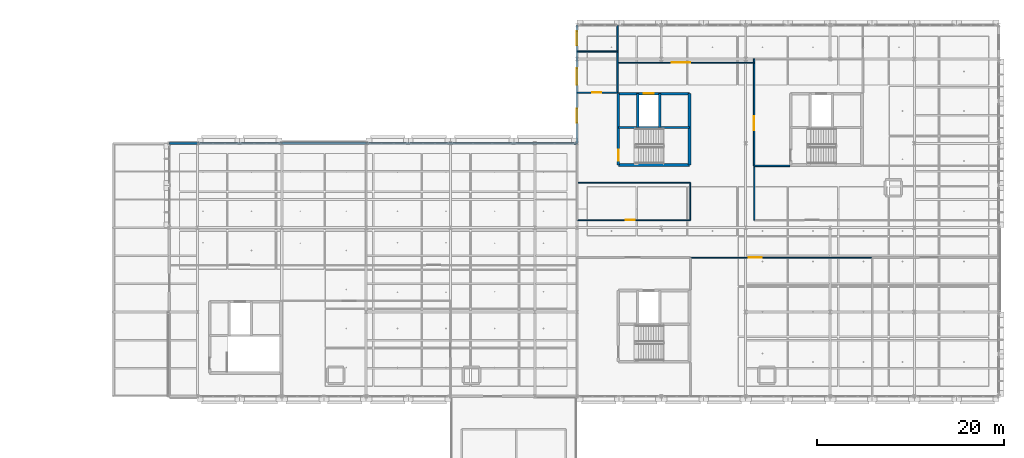
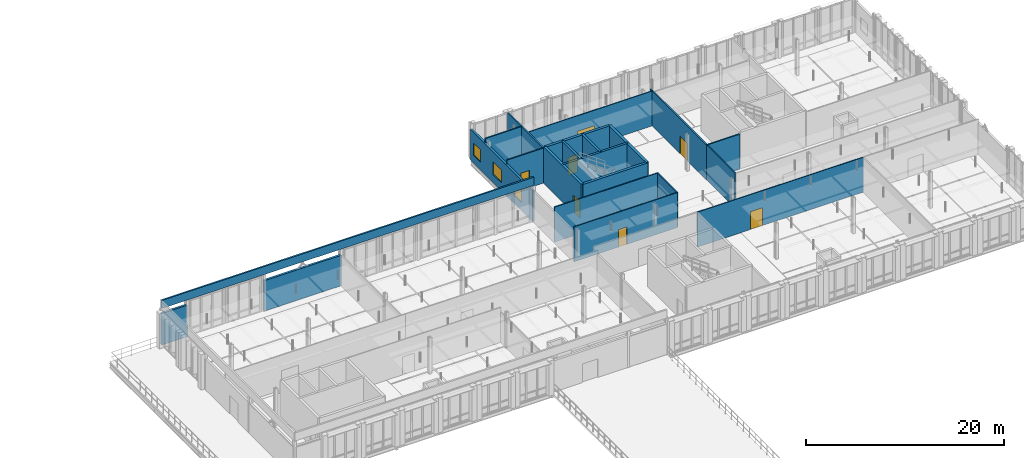
# One storey, part 49 of 89: 22 walls, 7 doors, 3 windows, 10 openings.
"""IFC4 building model written with IfcOpenShell, lengths in metres."""

import ifcopenshell
import ifcopenshell.guid

model = None  # the IFC model being written
_history = None  # IfcOwnerHistory: only IFC2X3 demands one
_inside = {}  # id of a spatial element -> (the spatial element, [elements in it])
_under = {}  # id of a project, library or spatial element -> (it, [spatial elements below it])
_declared = {}  # id of a project -> (the project, [libraries it declares])
_typed = {}  # id of a type object -> (the type object, [elements of that type])
_made_of = {}  # id of a material, layer set ... -> (it, [elements and type objects made of it])


def new_model(schema):
    """Start an empty IFC model of exactly this schema.

    Asked for "IFC4X3", IfcOpenShell would pick the latest addendum, in which some entities
    have other attributes; the version numbers below select the first issue.
    IFC2X3 requires an IfcOwnerHistory on every rooted entity: one is made here for all.
    """
    global model, _history
    if schema == "IFC4X3":
        model = ifcopenshell.file(schema_version=(4, 3, 0, 0))
    else:
        model = ifcopenshell.file(schema=schema)
    _inside.clear()
    _under.clear()
    _declared.clear()
    _typed.clear()
    _made_of.clear()
    _history = None
    if model.schema == "IFC2X3":
        org = make("IfcOrganization", Name="unknown")
        user = make(
            "IfcPersonAndOrganization",
            ThePerson=make("IfcPerson", FamilyName="unknown"),
            TheOrganization=org,
        )
        app = make(
            "IfcApplication",
            ApplicationDeveloper=org,
            Version="unknown",
            ApplicationFullName="unknown",
            ApplicationIdentifier="unknown",
        )
        _history = make(
            "IfcOwnerHistory",
            OwningUser=user,
            OwningApplication=app,
            ChangeAction="ADDED",
            CreationDate=0,
        )
    return model


def make(cls, **values):
    """One entity of the class cls with the attributes given. An attribute that is None is left unset."""
    return model.create_entity(
        cls, **{name: value for name, value in values.items() if value is not None}
    )


def rooted(cls, **values):
    """An entity with a GlobalId (a new one), such as an element, a storey or a relation."""
    return make(cls, GlobalId=ifcopenshell.guid.new(), OwnerHistory=_history, **values)


def si_unit(unit_type, name, prefix=None):
    """IfcSIUnit, for example si_unit("LENGTHUNIT", "METRE", prefix="MILLI")."""
    return make("IfcSIUnit", UnitType=unit_type, Prefix=prefix, Name=name)


def assignment(units):
    """IfcUnitAssignment: the units of a project."""
    return None if units is None else make("IfcUnitAssignment", Units=units)


def point(xyz):
    """IfcCartesianPoint."""
    return None if xyz is None else make("IfcCartesianPoint", Coordinates=xyz)


def direction(xyz):
    """IfcDirection."""
    return None if xyz is None else make("IfcDirection", DirectionRatios=xyz)


def frame(location, z_axis=None, x_axis=None):
    """IfcAxis2Placement3D, a coordinate frame: its origin and axes. An axis left out is left unset."""
    return make(
        "IfcAxis2Placement3D",
        Location=point(location),
        Axis=direction(z_axis),
        RefDirection=direction(x_axis),
    )


def frame_2d(location, x_axis=None):
    """IfcAxis2Placement2D, a coordinate frame in the plane: its origin and x axis."""
    return make(
        "IfcAxis2Placement2D", Location=point(location), RefDirection=direction(x_axis)
    )


def origin():
    """The frame at (0, 0, 0) with its axes left unset."""
    return frame((0.0, 0.0, 0.0))


def place(relative_to, where):
    """IfcLocalPlacement: puts the frame where relative to a parent placement (None: the world)."""
    return make(
        "IfcLocalPlacement", PlacementRelTo=relative_to, RelativePlacement=where
    )


def context(
    kind, dimensions, precision=None, world=None, true_north=None, identifier=None
):
    """IfcGeometricRepresentationContext, for example the 3D "Model" context."""
    return make(
        "IfcGeometricRepresentationContext",
        ContextIdentifier=identifier,
        ContextType=kind,
        CoordinateSpaceDimension=dimensions,
        Precision=precision,
        WorldCoordinateSystem=world,
        TrueNorth=true_north,
    )


def subcontext(parent, identifier, kind, view, scale=None):
    """IfcGeometricRepresentationSubContext, for example "Body" below "Model"."""
    return make(
        "IfcGeometricRepresentationSubContext",
        ContextIdentifier=identifier,
        ContextType=kind,
        ParentContext=parent,
        TargetScale=scale,
        TargetView=view,
    )


def project(units=None, contexts=None):
    """IfcProject with its units and contexts."""
    return rooted(
        "IfcProject",
        Name="project",
        RepresentationContexts=contexts,
        UnitsInContext=assignment(units),
    )


def spatial(cls, under=None, at=None, **own):
    """A site, building, storey or space (cls), placed at a placement, below another one or the project."""
    s = rooted(cls, ObjectPlacement=at, **own)
    if under is not None:
        _under.setdefault(under.id(), (under, []))[1].append(s)
    return s


def profile(cls, at=None, kind="AREA", **sizes):
    """A parametric profile (cls). Its sizes go by their IFC names, for example OverallWidth=200.0."""
    return make(cls, ProfileType=kind, Position=at, **sizes)


def rectangle(**sizes):
    """IfcRectangleProfileDef."""
    return profile("IfcRectangleProfileDef", **sizes)


def extrude(swept, where, along, depth):
    """IfcExtrudedAreaSolid: the profile swept, set in the frame where, extruded along a direction by depth."""
    return make(
        "IfcExtrudedAreaSolid",
        SweptArea=swept,
        Position=where,
        ExtrudedDirection=direction(along),
        Depth=depth,
    )


def shape(context_of_items, identifier, shape_type, items):
    """IfcShapeRepresentation: the items that make up one representation, for example the "Body"."""
    return make(
        "IfcShapeRepresentation",
        ContextOfItems=context_of_items,
        RepresentationIdentifier=identifier,
        RepresentationType=shape_type,
        Items=items,
    )


def material(Name=None, Category=None):
    """IfcMaterial."""
    return make("IfcMaterial", Name=Name, Category=Category)


def layer(
    of_material, thickness, ventilated=None, Name=None, Category=None, Priority=None
):
    """IfcMaterialLayer: one layer of a wall or slab, of a material (None: an air gap)."""
    return make(
        "IfcMaterialLayer",
        Material=of_material,
        LayerThickness=thickness,
        IsVentilated=ventilated,
        Name=Name,
        Category=Category,
        Priority=Priority,
    )


def layer_set(layers, Name=None):
    """IfcMaterialLayerSet."""
    return make("IfcMaterialLayerSet", MaterialLayers=layers, LayerSetName=Name)


def made_of(thing, what):
    """Note that an element or type object is made of a material, layer set ...; save() writes the relation."""
    if what is not None:
        _made_of.setdefault(what.id(), (what, []))[1].append(thing)
    return thing


def type_object(cls, material=None, **own):
    """A type object (cls), such as IfcWallType, which elements share."""
    return made_of(rooted(cls, **own), material)


def element(
    cls,
    number,
    at=None,
    inside=None,
    cuts=None,
    type_object=None,
    material=None,
    context=None,
    identifier="Body",
    shape_type=None,
    held_by="IfcProductDefinitionShape",
    body=None,
    shapes=None,
    **own,
):
    """One element of the class cls, such as IfcWall. Its Tag is "e" and its number.

    at: its placement. inside: the storey or other place that contains it. cuts: it is an
    opening in that element (IfcRelVoidsElement). A single representation is given by context,
    identifier, shape_type and body (its items); several are given by shapes. held_by: the class
    of the entity that holds the representations. save() writes the other relations.
    """
    e = rooted(cls, Tag="e%d" % number, ObjectPlacement=at, **own)
    if body is not None:
        shapes = [shape(context, identifier, shape_type, body)]
    if shapes is not None:
        e.Representation = make(held_by, Representations=shapes)
    if inside is not None:
        _inside.setdefault(inside.id(), (inside, []))[1].append(e)
    if cuts is not None:
        rooted(
            "IfcRelVoidsElement", RelatingBuildingElement=cuts, RelatedOpeningElement=e
        )
    if type_object is not None:
        _typed.setdefault(type_object.id(), (type_object, []))[1].append(e)
    return made_of(e, material)


def fill(opening, filler):
    """IfcRelFillsElement: the door or window that sits in an opening."""
    return rooted(
        "IfcRelFillsElement",
        RelatingOpeningElement=opening,
        RelatedBuildingElement=filler,
    )


def aggregate(whole, parts):
    """IfcRelAggregates: a whole, such as a stair, and the parts it consists of."""
    return rooted("IfcRelAggregates", RelatingObject=whole, RelatedObjects=parts)


def save(model, path):
    """Write the relations noted so far, then the file.

    IfcRelAggregates (storeys below a building ...), IfcRelContainedInSpatialStructure (elements
    in a storey), IfcRelDefinesByType, IfcRelAssociatesMaterial and IfcRelDeclares: one each for
    every whole, place, type object, material and project.
    """
    for whole, parts in _under.values():
        aggregate(whole, parts)
    for where, things in _inside.values():
        rooted(
            "IfcRelContainedInSpatialStructure",
            RelatedElements=things,
            RelatingStructure=where,
        )
    for kind, things in _typed.values():
        rooted("IfcRelDefinesByType", RelatedObjects=things, RelatingType=kind)
    for what, things in _made_of.values():
        rooted("IfcRelAssociatesMaterial", RelatedObjects=things, RelatingMaterial=what)
    for by, libraries in _declared.values():
        rooted("IfcRelDeclares", RelatingContext=by, RelatedDefinitions=libraries)
    model.write(path)


model = new_model("IFC4")

# Units and contexts
model_context = context("Model", 3, precision=1e-05, world=origin(), true_north=direction((0.0, 1.0)))
body_context = subcontext(model_context, "Body", "Model", "MODEL_VIEW")
ifc_project = project(units=[si_unit("LENGTHUNIT", "METRE"), si_unit("AREAUNIT", "SQUARE_METRE"), si_unit("VOLUMEUNIT", "CUBIC_METRE"), si_unit("PLANEANGLEUNIT", "RADIAN"), si_unit("MASSUNIT", "GRAM", prefix="KILO"), si_unit("THERMODYNAMICTEMPERATUREUNIT", "KELVIN"), si_unit("POWERUNIT", "WATT")], contexts=[model_context])

# Site, building, storey
site_placement = place(None, origin())
site = spatial("IfcSite", under=ifc_project, at=site_placement, CompositionType="ELEMENT")
building_placement = place(site_placement, origin())
building = spatial("IfcBuilding", under=site, at=building_placement, Name="Tallowbark Science Centre", CompositionType="ELEMENT")
storey_placement = place(building_placement, frame((0.0, 0.0, 14.39990234375)))
storey = spatial("IfcBuildingStorey", under=building, at=storey_placement, Name="L03", CompositionType="ELEMENT", Elevation=14.39990234375)

# Walls
ifc_material_1 = material(Name="Precast Concrete Parapet Grade N40 (40 MPa)", Category="concrete")
ifc_layer_1 = layer(ifc_material_1, 0.18505859375)
ifc_layer_set_1 = layer_set([ifc_layer_1], Name="Precast Concrete Parapet Grade N40 (40 MPa)")
wall_type_1 = type_object("IfcWallType", Name="EWL-PAR-185", PredefinedType="PARAPET", material=ifc_layer_set_1)
wall_1_placement = place(storey_placement, frame((69.0, 99.0, 4.5), z_axis=(0.0, 0.0, 1.0), x_axis=(1.0, 0.0, 0.0)))
element("IfcWall", 1, at=wall_1_placement, inside=storey, type_object=wall_type_1, Name="Roof Parapet PAR-LAB-N", PredefinedType="PARAPET", context=body_context, shape_type="SweptSolid", body=[
    extrude(rectangle(XDim=43.5, YDim=0.18505859375, at=frame_2d((21.75, 0.0))), origin(), (0.0, 0.0, 1.0), 1.0),
])
ifc_material_2 = material(Name="Insulated Precast Concrete Panel Grade N40 (40 MPa)", Category="concrete")
ifc_layer_2 = layer(ifc_material_2, 0.25)
ifc_layer_set_2 = layer_set([ifc_layer_2], Name="Insulated Precast Concrete Panel Grade N40 (40 MPa)")
wall_type_2 = type_object("IfcWallType", Name="EWL-PRC-250", PredefinedType="STANDARD", material=ifc_layer_set_2)
wall_2_placement = place(storey_placement, frame((72.0, 99.0, 0.0), z_axis=(0.0, 0.0, 1.0), x_axis=(-1.0, 0.0, 0.0)))
element("IfcWall", 2, at=wall_2_placement, inside=storey, type_object=wall_type_2, Name="Exterior Wall LAB-N-L03-69", PredefinedType="STANDARD", context=body_context, shape_type="SweptSolid", body=[
    extrude(rectangle(XDim=3.0, YDim=0.25, at=frame_2d((1.5, 0.0))), origin(), (0.0, 0.0, 1.0), 3.893798828125),
])
wall_3_placement = place(storey_placement, frame((90.0, 99.0, 0.0), z_axis=(0.0, 0.0, 1.0), x_axis=(-1.0, 0.0, 0.0)))
element("IfcWall", 3, at=wall_3_placement, inside=storey, type_object=wall_type_2, Name="Exterior Wall LAB-N-L03-81", PredefinedType="STANDARD", context=body_context, shape_type="SweptSolid", body=[
    extrude(rectangle(XDim=9.0, YDim=0.25, at=frame_2d((4.5, 0.0))), origin(), (0.0, 0.0, 1.0), 3.76708984375),
])

# Wall, openings, windows
wall_4_placement = place(storey_placement, frame((112.5, 111.60009765625, 0.0), z_axis=(0.0, 0.0, 1.0), x_axis=(0.0, -1.0, 0.0)))
wall_4 = element("IfcWall", 4, at=wall_4_placement, inside=storey, type_object=wall_type_2, Name="Exterior Wall OBS-WN-L03", PredefinedType="STANDARD", context=body_context, shape_type="SweptSolid", body=[
    extrude(rectangle(XDim=12.60009765625, YDim=0.25, at=frame_2d((6.300048828125, 0.0))), origin(), (0.0, 0.0, 1.0), 3.81640625),
])
opening_1_placement = place(wall_4_placement, frame((0.64990234375, 0.0, 1.0)))
opening_1 = element("IfcOpeningElement", 5, at=opening_1_placement, cuts=wall_4, Name="Opening W-08", PredefinedType="OPENING", context=body_context, shape_type="SweptSolid", body=[
    extrude(rectangle(XDim=1.5, YDim=1.5, at=frame_2d((0.75, 0.75))), frame((0.0, 0.135009765625, 0.0), z_axis=(0.0, -1.0, 0.0), x_axis=(1.0, 0.0, 0.0)), (0.0, 0.0, 1.0), 0.27001953125),
])
opening_2_placement = place(wall_4_placement, frame((8.89990234375, 0.0, 1.0)))
opening_2 = element("IfcOpeningElement", 6, at=opening_2_placement, cuts=wall_4, Name="Opening W-08", PredefinedType="OPENING", context=body_context, shape_type="SweptSolid", body=[
    extrude(rectangle(XDim=1.5, YDim=1.5, at=frame_2d((0.75, 0.75))), frame((0.0, 0.135009765625, 0.0), z_axis=(0.0, -1.0, 0.0), x_axis=(1.0, 0.0, 0.0)), (0.0, 0.0, 1.0), 0.27001953125),
])
opening_3_placement = place(wall_4_placement, frame((4.60009765625, 0.0, 1.0)))
opening_3 = element("IfcOpeningElement", 7, at=opening_3_placement, cuts=wall_4, Name="Opening WS-09", PredefinedType="OPENING", context=body_context, shape_type="SweptSolid", body=[
    extrude(rectangle(XDim=1.75, YDim=1.550048828125, at=frame_2d((0.875, 0.77490234375))), frame((0.0, 0.135009765625, 0.0), z_axis=(0.0, -1.0, 0.0), x_axis=(1.0, 0.0, 0.0)), (0.0, 0.0, 1.0), 0.27001953125),
])
ifc_material_3 = material(Name="Thermally Broken Aluminium and Low-E Double Glazing", Category="aluminium")
window_type_1 = type_object("IfcWindowType", Name="WIN-F150x150", PartitioningType="SINGLE_PANEL", PredefinedType="WINDOW", material=ifc_material_3)
window_1_placement = place(opening_1_placement, origin())
window_1 = element("IfcWindow", 8, at=window_1_placement, inside=storey, type_object=window_type_1, Name="Window WIN-L03-0048", OverallHeight=1.5, OverallWidth=1.5, PartitioningType="SINGLE_PANEL", PredefinedType="WINDOW", context=body_context, shape_type="SweptSolid", body=[
    extrude(rectangle(XDim=1.5, YDim=1.5, at=frame_2d((0.75, 0.75))), frame((0.0, 0.030029296875, 0.0), z_axis=(0.0, -1.0, 0.0), x_axis=(1.0, 0.0, 0.0)), (0.0, 0.0, 1.0), 0.06005859375),
])
fill(opening_1, window_1)
window_2_placement = place(opening_2_placement, origin())
window_2 = element("IfcWindow", 9, at=window_2_placement, inside=storey, type_object=window_type_1, Name="Window WIN-L03-0049", OverallHeight=1.5, OverallWidth=1.5, PartitioningType="SINGLE_PANEL", PredefinedType="WINDOW", context=body_context, shape_type="SweptSolid", body=[
    extrude(rectangle(XDim=1.5, YDim=1.5, at=frame_2d((0.75, 0.75))), frame((0.0, 0.030029296875, 0.0), z_axis=(0.0, -1.0, 0.0), x_axis=(1.0, 0.0, 0.0)), (0.0, 0.0, 1.0), 0.06005859375),
])
fill(opening_2, window_2)
window_type_2 = type_object("IfcWindowType", Name="WIN-SP-175x155", PartitioningType="SINGLE_PANEL", PredefinedType="WINDOW", material=ifc_material_3)
window_3_placement = place(opening_3_placement, origin())
window_3 = element("IfcWindow", 10, at=window_3_placement, inside=storey, type_object=window_type_2, Name="Acoustic Window WSP-09", OverallHeight=1.550048828125, OverallWidth=1.75, PartitioningType="SINGLE_PANEL", PredefinedType="WINDOW", context=body_context, shape_type="SweptSolid", body=[
    extrude(rectangle(XDim=1.75, YDim=1.550048828125, at=frame_2d((0.875, 0.77490234375))), frame((0.0, 0.030029296875, 0.0), z_axis=(0.0, -1.0, 0.0), x_axis=(1.0, 0.0, 0.0)), (0.0, 0.0, 1.0), 0.06005859375),
])
fill(opening_3, window_3)

# Wall, opening, door
ifc_material_4 = material(Name="116 mm Acoustic Steel Stud and 16 mm Fire-Rated Plasterboard", Category="steel")
ifc_layer_3 = layer(ifc_material_4, 0.115966796875)
ifc_layer_set_3 = layer_set([ifc_layer_3], Name="116 mm Acoustic Steel Stud and 16 mm Fire-Rated Plasterboard")
wall_type_3 = type_object("IfcWallType", Name="PTW-116", PredefinedType="PARTITIONING", material=ifc_layer_set_3)
wall_5_placement = place(storey_placement, frame((112.5, 90.800048828125, 0.0), z_axis=(0.0, 0.0, 1.0), x_axis=(1.0, 0.0, 0.0)))
wall_5 = element("IfcWall", 11, at=wall_5_placement, inside=storey, type_object=wall_type_3, Name="Interior Partition PTW-L03-0271", PredefinedType="PARTITIONING", context=body_context, shape_type="SweptSolid", body=[
    extrude(rectangle(XDim=12.10009765625, YDim=0.115966796875, at=frame_2d((6.050048828125, 0.0))), origin(), (0.0, 0.0, 1.0), 4.320068359375),
])
opening_4_placement = place(wall_5_placement, frame((5.199951171875, 0.0, 0.0)))
opening_4 = element("IfcOpeningElement", 12, at=opening_4_placement, cuts=wall_5, Name="Opening ID-04", PredefinedType="OPENING", context=body_context, shape_type="SweptSolid", body=[
    extrude(rectangle(XDim=0.949951171875, YDim=2.14990234375, at=frame_2d((0.47509765625, 1.074951171875))), frame((0.0, 0.06787109375, 0.0), z_axis=(0.0, -1.0, 0.0), x_axis=(1.0, 0.0, 0.0)), (0.0, 0.0, 1.0), 0.135986328125),
])
ifc_material_5 = material(Name="Solid-Core Timber Veneer Leaf", Category="wood")
door_type_1 = type_object("IfcDoorType", Name="IDR-OFF-095", OperationType="NOTDEFINED", PredefinedType="DOOR", material=ifc_material_5)
door_1_placement = place(opening_4_placement, origin())
door_1 = element("IfcDoor", 13, at=door_1_placement, inside=storey, type_object=door_type_1, Name="Interior Door IDR-L03-0121", OperationType="SINGLE_SWING_LEFT", OverallHeight=2.14990234375, OverallWidth=0.949951171875, PredefinedType="DOOR", context=body_context, shape_type="SweptSolid", body=[
    extrude(rectangle(XDim=0.949951171875, YDim=2.14990234375, at=frame_2d((0.47509765625, 1.074951171875))), frame((0.0, 0.02490234375, 0.0), z_axis=(0.0, -1.0, 0.0), x_axis=(1.0, 0.0, 0.0)), (0.0, 0.0, 1.0), 0.050048828125),
])
fill(opening_4, door_1)

# Walls
wall_6_placement = place(storey_placement, frame((112.5, 94.800048828125, 0.0), z_axis=(0.0, 0.0, 1.0), x_axis=(1.0, 0.0, 0.0)))
element("IfcWall", 14, at=wall_6_placement, inside=storey, type_object=wall_type_3, Name="Interior Partition PTW-L03-0272", PredefinedType="PARTITIONING", context=body_context, shape_type="SweptSolid", body=[
    extrude(rectangle(XDim=12.10009765625, YDim=0.115966796875, at=frame_2d((6.050048828125, 0.0))), origin(), (0.0, 0.0, 1.0), 4.320068359375),
])
wall_7_placement = place(storey_placement, frame((124.60009765625, 90.800048828125, 0.0), z_axis=(0.0, 0.0, 1.0), x_axis=(0.0, 1.0, 0.0)))
element("IfcWall", 15, at=wall_7_placement, inside=storey, type_object=wall_type_3, Name="Interior Partition PTW-L03-0273", PredefinedType="PARTITIONING", context=body_context, shape_type="SweptSolid", body=[
    extrude(rectangle(XDim=4.0, YDim=0.115966796875, at=frame_2d((2.0, 0.0))), origin(), (0.0, 0.0, 1.0), 4.320068359375),
])
ifc_material_6 = material(Name="132 mm Acoustic Laboratory Steel Stud Partition", Category="steel")
ifc_layer_4 = layer(ifc_material_6, 0.132080078125)
ifc_layer_set_4 = layer_set([ifc_layer_4], Name="132 mm Acoustic Laboratory Steel Stud Partition")
wall_type_4 = type_object("IfcWallType", Name="PTW-132", PredefinedType="PARTITIONING", material=ifc_layer_set_4)
wall_8_placement = place(storey_placement, frame((131.39990234375, 90.800048828125, 0.0), z_axis=(0.0, 0.0, 1.0), x_axis=(0.0, 1.0, 0.0)))
element("IfcWall", 16, at=wall_8_placement, inside=storey, type_object=wall_type_4, Name="Interior Partition PTW-L03-0279", PredefinedType="PARTITIONING", context=body_context, shape_type="SweptSolid", body=[
    extrude(rectangle(XDim=5.800048828125, YDim=0.132080078125, at=frame_2d((2.89990234375, 0.0))), origin(), (0.0, 0.0, 1.0), 4.320068359375),
])

# Wall, opening, door
ifc_material_7 = material(Name="150 mm Wet-Area Moisture-Resistant Partition")
ifc_layer_5 = layer(ifc_material_7, 0.14990234375)
ifc_layer_set_5 = layer_set([ifc_layer_5], Name="150 mm Wet-Area Moisture-Resistant Partition")
wall_type_5 = type_object("IfcWallType", Name="PTW-150", PredefinedType="PARTITIONING", material=ifc_layer_set_5)
wall_9_placement = place(storey_placement, frame((112.5, 104.39990234375, 0.0), z_axis=(0.0, 0.0, 1.0), x_axis=(1.0, 0.0, 0.0)))
wall_9 = element("IfcWall", 17, at=wall_9_placement, inside=storey, type_object=wall_type_5, Name="Interior Partition PTW-L03-0274", PredefinedType="PARTITIONING", context=body_context, shape_type="SweptSolid", body=[
    extrude(rectangle(XDim=4.300048828125, YDim=0.14990234375, at=frame_2d((2.14990234375, 0.0))), origin(), (0.0, 0.0, 1.0), 4.320068359375),
])
opening_5_placement = place(wall_9_placement, frame((1.60009765625, 0.0, 0.0)))
opening_5 = element("IfcOpeningElement", 18, at=opening_5_placement, cuts=wall_9, Name="Opening ID-06", PredefinedType="OPENING", context=body_context, shape_type="SweptSolid", body=[
    extrude(rectangle(XDim=1.0, YDim=2.14990234375, at=frame_2d((0.5, 1.074951171875))), frame((0.0, 0.0849609375, 0.0), z_axis=(0.0, -1.0, 0.0), x_axis=(1.0, 0.0, 0.0)), (0.0, 0.0, 1.0), 0.169921875),
])
ifc_material_8 = material(Name="Accessible Cavity Sliding Leaf")
door_type_2 = type_object("IfcDoorType", Name="IDR-AWC-100", OperationType="SLIDING_TO_LEFT", PredefinedType="DOOR", material=ifc_material_8)
door_2_placement = place(opening_5_placement, origin())
door_2 = element("IfcDoor", 19, at=door_2_placement, inside=storey, type_object=door_type_2, Name="Interior Door IDR-L03-0122", OperationType="SLIDING_TO_LEFT", OverallHeight=2.14990234375, OverallWidth=1.0, PredefinedType="DOOR", context=body_context, shape_type="SweptSolid", body=[
    extrude(rectangle(XDim=1.0, YDim=2.14990234375, at=frame_2d((0.5, 1.074951171875))), frame((0.0, 0.02490234375, 0.0), z_axis=(0.0, -1.0, 0.0), x_axis=(1.0, 0.0, 0.0)), (0.0, 0.0, 1.0), 0.050048828125),
])
fill(opening_5, door_2)

# Walls
wall_10_placement = place(storey_placement, frame((112.5, 108.800048828125, 0.0), z_axis=(0.0, 0.0, 1.0), x_axis=(1.0, 0.0, 0.0)))
element("IfcWall", 20, at=wall_10_placement, inside=storey, type_object=wall_type_5, Name="Interior Partition PTW-L03-0275", PredefinedType="PARTITIONING", context=body_context, shape_type="SweptSolid", body=[
    extrude(rectangle(XDim=4.300048828125, YDim=0.14990234375, at=frame_2d((2.14990234375, 0.0))), origin(), (0.0, 0.0, 1.0), 4.320068359375),
])
wall_11_placement = place(storey_placement, frame((116.800048828125, 104.39990234375, 0.0), z_axis=(0.0, 0.0, 1.0), x_axis=(0.0, 1.0, 0.0)))
element("IfcWall", 21, at=wall_11_placement, inside=storey, type_object=wall_type_5, Name="Interior Partition PTW-L03-0276", PredefinedType="PARTITIONING", context=body_context, shape_type="SweptSolid", body=[
    extrude(rectangle(XDim=7.2001953125, YDim=0.14990234375, at=frame_2d((3.60009765625, 0.0))), origin(), (0.0, 0.0, 1.0), 4.320068359375),
])

# Wall, opening, door
ifc_material_9 = material(Name="162 mm Double-Stud Fire-Rated Corridor Partition")
ifc_layer_6 = layer(ifc_material_9, 0.162109375)
ifc_layer_set_6 = layer_set([ifc_layer_6], Name="162 mm Double-Stud Fire-Rated Corridor Partition")
wall_type_6 = type_object("IfcWallType", Name="PTW-162", PredefinedType="PARTITIONING", material=ifc_layer_set_6)
wall_12_placement = place(storey_placement, frame((131.39990234375, 96.60009765625, 0.0), z_axis=(0.0, 0.0, 1.0), x_axis=(0.0, 1.0, 0.0)))
wall_12 = element("IfcWall", 22, at=wall_12_placement, inside=storey, type_object=wall_type_6, Name="Interior Partition PTW-L03-0040", PredefinedType="PARTITIONING", context=body_context, shape_type="SweptSolid", body=[
    extrude(rectangle(XDim=11.39990234375, YDim=0.162109375, at=frame_2d((5.699951171875, 0.0))), origin(), (0.0, 0.0, 1.0), 4.320068359375),
])
opening_6_placement = place(wall_12_placement, frame((3.800048828125, 0.0, 0.0)))
opening_6 = element("IfcOpeningElement", 23, at=opening_6_placement, cuts=wall_12, Name="Opening DS-10", PredefinedType="OPENING", context=body_context, shape_type="SweptSolid", body=[
    extrude(rectangle(XDim=1.510009765625, YDim=2.175048828125, at=frame_2d((0.7548828125, 1.08740234375))), frame((0.0, 0.091064453125, 0.0), z_axis=(0.0, -1.0, 0.0), x_axis=(1.0, 0.0, 0.0)), (0.0, 0.0, 1.0), 0.18212890625),
])
ifc_material_10 = material(Name="Fire-Rated Glazed Steel Pair", Category="steel")
door_type_3 = type_object("IfcDoorType", Name="FDR-LOB-145-S10", OperationType="DOUBLE_DOOR_SINGLE_SWING", PredefinedType="DOOR", material=ifc_material_10)
door_3_placement = place(opening_6_placement, origin())
door_3 = element("IfcDoor", 24, at=door_3_placement, inside=storey, type_object=door_type_3, Name="Interior Door IDR-L03-0010", OperationType="DOUBLE_DOOR_SINGLE_SWING", OverallHeight=2.175048828125, OverallWidth=1.510009765625, PredefinedType="DOOR", context=body_context, shape_type="SweptSolid", body=[
    extrude(rectangle(XDim=1.510009765625, YDim=2.175048828125, at=frame_2d((0.7548828125, 1.08740234375))), frame((0.0, 0.02490234375, 0.0), z_axis=(0.0, -1.0, 0.0), x_axis=(1.0, 0.0, 0.0)), (0.0, 0.0, 1.0), 0.050048828125),
])
fill(opening_6, door_3)

# Wall
wall_13_placement = place(storey_placement, frame((131.39990234375, 96.60009765625, 0.0), z_axis=(0.0, 0.0, 1.0), x_axis=(1.0, 0.0, 0.0)))
element("IfcWall", 25, at=wall_13_placement, inside=storey, type_object=wall_type_6, Name="Interior Partition PTW-L03-0041", PredefinedType="PARTITIONING", context=body_context, shape_type="SweptSolid", body=[
    extrude(rectangle(XDim=3.800048828125, YDim=0.162109375, at=frame_2d((1.89990234375, 0.0))), origin(), (0.0, 0.0, 1.0), 4.320068359375),
])

# Wall, opening, door
ifc_material_11 = material(Name="108 mm Acoustic Double-Glazed Laboratory Partition")
ifc_layer_7 = layer(ifc_material_11, 0.10791015625)
ifc_layer_set_7 = layer_set([ifc_layer_7], Name="108 mm Acoustic Double-Glazed Laboratory Partition")
wall_type_7 = type_object("IfcWallType", Name="PTW-GLZ-108", PredefinedType="PARTITIONING", material=ifc_layer_set_7)
wall_14_placement = place(storey_placement, frame((124.60009765625, 86.800048828125, 0.0), z_axis=(0.0, 0.0, 1.0), x_axis=(1.0, 0.0, 0.0)))
wall_14 = element("IfcWall", 26, at=wall_14_placement, inside=storey, type_object=wall_type_7, Name="Interior Partition PTW-L03-0268", PredefinedType="PARTITIONING", context=body_context, shape_type="SweptSolid", body=[
    extrude(rectangle(XDim=19.39990234375, YDim=0.10791015625, at=frame_2d((9.699951171875, 0.0))), origin(), (0.0, 0.0, 1.0), 4.320068359375),
])
opening_7_placement = place(wall_14_placement, frame((6.199951171875, 0.0, 0.0)))
opening_7 = element("IfcOpeningElement", 27, at=opening_7_placement, cuts=wall_14, Name="Opening ID-01", PredefinedType="OPENING", context=body_context, shape_type="SweptSolid", body=[
    extrude(rectangle(XDim=1.39990234375, YDim=2.199951171875, at=frame_2d((0.699951171875, 1.10009765625))), frame((0.0, 0.06396484375, 0.0), z_axis=(0.0, -1.0, 0.0), x_axis=(1.0, 0.0, 0.0)), (0.0, 0.0, 1.0), 0.1279296875),
])
ifc_material_12 = material(Name="Vision-Panel Leaf and Unequal Side Leaf")
door_type_4 = type_object("IfcDoorType", Name="IDR-LAB-140", OperationType="DOUBLE_DOOR_SINGLE_SWING", PredefinedType="DOOR", material=ifc_material_12)
door_4_placement = place(opening_7_placement, origin())
door_4 = element("IfcDoor", 28, at=door_4_placement, inside=storey, type_object=door_type_4, Name="Interior Door IDR-L03-0119", OperationType="DOUBLE_DOOR_SINGLE_SWING", OverallHeight=2.199951171875, OverallWidth=1.39990234375, PredefinedType="DOOR", context=body_context, shape_type="SweptSolid", body=[
    extrude(rectangle(XDim=1.39990234375, YDim=2.199951171875, at=frame_2d((0.699951171875, 1.10009765625))), frame((0.0, 0.02490234375, 0.0), z_axis=(0.0, -1.0, 0.0), x_axis=(1.0, 0.0, 0.0)), (0.0, 0.0, 1.0), 0.050048828125),
])
fill(opening_7, door_4)

wall_15_placement = place(storey_placement, frame((116.800048828125, 107.60009765625, 0.0), z_axis=(0.0, 0.0, 1.0), x_axis=(1.0, 0.0, 0.0)))
wall_15 = element("IfcWall", 29, at=wall_15_placement, inside=storey, type_object=wall_type_7, Name="Interior Partition PTW-L03-0277", PredefinedType="PARTITIONING", context=body_context, shape_type="SweptSolid", body=[
    extrude(rectangle(XDim=14.599853515625, YDim=0.10791015625, at=frame_2d((7.2998046875, 0.0))), origin(), (0.0, 0.0, 1.0), 4.320068359375),
])
opening_8_placement = place(wall_15_placement, frame((5.800048828125, 0.0, 0.0)))
opening_8 = element("IfcOpeningElement", 30, at=opening_8_placement, cuts=wall_15, Name="Opening ID-02", PredefinedType="OPENING", context=body_context, shape_type="SweptSolid", body=[
    extrude(rectangle(XDim=2.0, YDim=2.39990234375, at=frame_2d((1.0, 1.199951171875))), frame((0.0, 0.06396484375, 0.0), z_axis=(0.0, -1.0, 0.0), x_axis=(1.0, 0.0, 0.0)), (0.0, 0.0, 1.0), 0.1279296875),
])
ifc_material_13 = material(Name="Spotted Gum Acoustic Gallery Pair", Category="wood")
door_type_5 = type_object("IfcDoorType", Name="IDR-GAL-200", OperationType="DOUBLE_DOOR_DOUBLE_SWING", PredefinedType="DOOR", material=ifc_material_13)
door_5_placement = place(opening_8_placement, origin())
door_5 = element("IfcDoor", 31, at=door_5_placement, inside=storey, type_object=door_type_5, Name="Interior Door IDR-L03-0123", OperationType="DOUBLE_DOOR_DOUBLE_SWING", OverallHeight=2.39990234375, OverallWidth=2.0, PredefinedType="DOOR", context=body_context, shape_type="SweptSolid", body=[
    extrude(rectangle(XDim=2.0, YDim=2.39990234375, at=frame_2d((1.0, 1.199951171875))), frame((0.0, 0.02490234375, 0.0), z_axis=(0.0, -1.0, 0.0), x_axis=(1.0, 0.0, 0.0)), (0.0, 0.0, 1.0), 0.050048828125),
])
fill(opening_8, door_5)

ifc_material_14 = material(Name="Concrete Grade N40 (40 MPa)", Category="concrete")
ifc_layer_8 = layer(ifc_material_14, 0.300048828125)
ifc_layer_set_8 = layer_set([ifc_layer_8], Name="Concrete Grade N40 (40 MPa)")
wall_type_8 = type_object("IfcWallType", Name="WL-CORE-300", PredefinedType="SHEAR", material=ifc_layer_set_8)
wall_16_placement = place(storey_placement, frame((116.89990234375, 96.699951171875, 0.0), z_axis=(0.0, 0.0, 1.0), x_axis=(0.0, 1.0, 0.0)))
wall_16 = element("IfcWall", 32, at=wall_16_placement, inside=storey, type_object=wall_type_8, Name="Core C5 Shear Wall L03 W", PredefinedType="SHEAR", context=body_context, shape_type="SweptSolid", body=[
    extrude(rectangle(XDim=7.60009765625, YDim=0.300048828125, at=frame_2d((3.800048828125, 0.0))), origin(), (0.0, 0.0, 1.0), 4.5),
])
opening_9_placement = place(wall_16_placement, frame((0.449951171875, 0.0, 0.0)))
opening_9 = element("IfcOpeningElement", 33, at=opening_9_placement, cuts=wall_16, Name="Opening FD-01", PredefinedType="OPENING", context=body_context, shape_type="SweptSolid", body=[
    extrude(rectangle(XDim=1.14990234375, YDim=2.14990234375, at=frame_2d((0.574951171875, 1.074951171875))), frame((0.0, 0.16015625, 0.0), z_axis=(0.0, -1.0, 0.0), x_axis=(1.0, 0.0, 0.0)), (0.0, 0.0, 1.0), 0.320068359375),
])
ifc_material_15 = material(Name="Fire-Rated Pressed Steel Frame and Solid Core Leaf", Category="steel")
door_type_6 = type_object("IfcDoorType", Name="FDR-STR-115", OperationType="NOTDEFINED", PredefinedType="DOOR", material=ifc_material_15)
door_6_placement = place(opening_9_placement, origin())
door_6 = element("IfcDoor", 34, at=door_6_placement, inside=storey, type_object=door_type_6, Name="Stair ST-05 Fire Door L03", OperationType="SINGLE_SWING_RIGHT", OverallHeight=2.14990234375, OverallWidth=1.14990234375, PredefinedType="DOOR", context=body_context, shape_type="SweptSolid", body=[
    extrude(rectangle(XDim=1.14990234375, YDim=2.14990234375, at=frame_2d((0.574951171875, 1.074951171875))), frame((0.0, 0.02490234375, 0.0), z_axis=(0.0, -1.0, 0.0), x_axis=(1.0, 0.0, 0.0)), (0.0, 0.0, 1.0), 0.050048828125),
])
fill(opening_9, door_6)

# Walls
for number, where, z_axis, x_axis, name in (
    (35, (124.5, 96.699951171875, 0.0), (0.0, 0.0, 1.0), (0.0, 1.0, 0.0), "Core C5 Shear Wall L03 E"),
    (36, (116.89990234375, 96.699951171875, 0.0), (0.0, 0.0, 1.0), (1.0, 0.0, 0.0), "Core C5 Shear Wall L03 S"),
):
    element("IfcWall", number, at=place(storey_placement, frame(where, z_axis=z_axis, x_axis=x_axis)), inside=storey, type_object=wall_type_8, Name=name, PredefinedType="SHEAR", context=body_context, shape_type="SweptSolid", body=[
        extrude(rectangle(XDim=7.60009765625, YDim=0.300048828125, at=frame_2d((3.800048828125, 0.0))), origin(), (0.0, 0.0, 1.0), 4.5),
    ])

# Wall, opening, door
wall_17_placement = place(storey_placement, frame((116.89990234375, 104.300048828125, 0.0), z_axis=(0.0, 0.0, 1.0), x_axis=(1.0, 0.0, 0.0)))
wall_17 = element("IfcWall", 37, at=wall_17_placement, inside=storey, type_object=wall_type_8, Name="Core C5 Shear Wall L03 N", PredefinedType="SHEAR", context=body_context, shape_type="SweptSolid", body=[
    extrude(rectangle(XDim=7.60009765625, YDim=0.300048828125, at=frame_2d((3.800048828125, 0.0))), origin(), (0.0, 0.0, 1.0), 4.5),
])
opening_10_placement = place(wall_17_placement, frame((2.699951171875, 0.0, 0.0)))
opening_10 = element("IfcOpeningElement", 38, at=opening_10_placement, cuts=wall_17, Name="Opening LD-01", PredefinedType="OPENING", context=body_context, shape_type="SweptSolid", body=[
    extrude(rectangle(XDim=1.10009765625, YDim=2.199951171875, at=frame_2d((0.550048828125, 1.10009765625))), frame((0.0, 0.16015625, 0.0), z_axis=(0.0, -1.0, 0.0), x_axis=(1.0, 0.0, 0.0)), (0.0, 0.0, 1.0), 0.320068359375),
])
ifc_material_16 = material(Name="Brushed Stainless Steel Centre-Parting Lift Landing Door", Category="steel")
door_type_7 = type_object("IfcDoorType", Name="LDR-LFT-110", OperationType="DOUBLE_DOOR_SLIDING", PredefinedType="DOOR", material=ifc_material_16)
door_7_placement = place(opening_10_placement, origin())
door_7 = element("IfcDoor", 39, at=door_7_placement, inside=storey, type_object=door_type_7, Name="Lift LF-04 Landing Door L03", OperationType="DOUBLE_DOOR_SLIDING", OverallHeight=2.199951171875, OverallWidth=1.10009765625, PredefinedType="DOOR", context=body_context, shape_type="SweptSolid", body=[
    extrude(rectangle(XDim=1.10009765625, YDim=2.199951171875, at=frame_2d((0.550048828125, 1.10009765625))), frame((0.0, 0.02490234375, 0.0), z_axis=(0.0, -1.0, 0.0), x_axis=(1.0, 0.0, 0.0)), (0.0, 0.0, 1.0), 0.050048828125),
])
fill(opening_10, door_7)

# Walls
ifc_layer_9 = layer(ifc_material_14, 0.25)
ifc_layer_set_9 = layer_set([ifc_layer_9], Name="Concrete Grade N40 (40 MPa)")
wall_type_9 = type_object("IfcWallType", Name="WL-SHAFT-250", PredefinedType="SHEAR", material=ifc_layer_set_9)
wall_18_placement = place(storey_placement, frame((116.89990234375, 100.695068359375, 0.0), z_axis=(0.0, 0.0, 1.0), x_axis=(1.0, 0.0, 0.0)))
element("IfcWall", 40, at=wall_18_placement, inside=storey, type_object=wall_type_9, Name="Core C5 Shear Wall L03 MID", PredefinedType="SHEAR", context=body_context, shape_type="SweptSolid", body=[
    extrude(rectangle(XDim=7.60009765625, YDim=0.25, at=frame_2d((3.800048828125, 0.0))), origin(), (0.0, 0.0, 1.0), 4.5),
])
for number, where, z_axis, x_axis, name in (
    (41, (118.97509765625, 100.695068359375, 0.0), (0.0, 0.0, 1.0), (0.0, 1.0, 0.0), "Core C5 Shear Wall L03 LW"),
    (42, (121.324951171875, 100.695068359375, 0.0), (0.0, 0.0, 1.0), (0.0, 1.0, 0.0), "Core C5 Shear Wall L03 LE"),
):
    element("IfcWall", number, at=place(storey_placement, frame(where, z_axis=z_axis, x_axis=x_axis)), inside=storey, type_object=wall_type_9, Name=name, PredefinedType="SHEAR", context=body_context, shape_type="SweptSolid", body=[
        extrude(rectangle(XDim=3.60498046875, YDim=0.25, at=frame_2d((1.802490234375, 0.0))), origin(), (0.0, 0.0, 1.0), 4.5),
    ])

save(model, "model.ifc")
